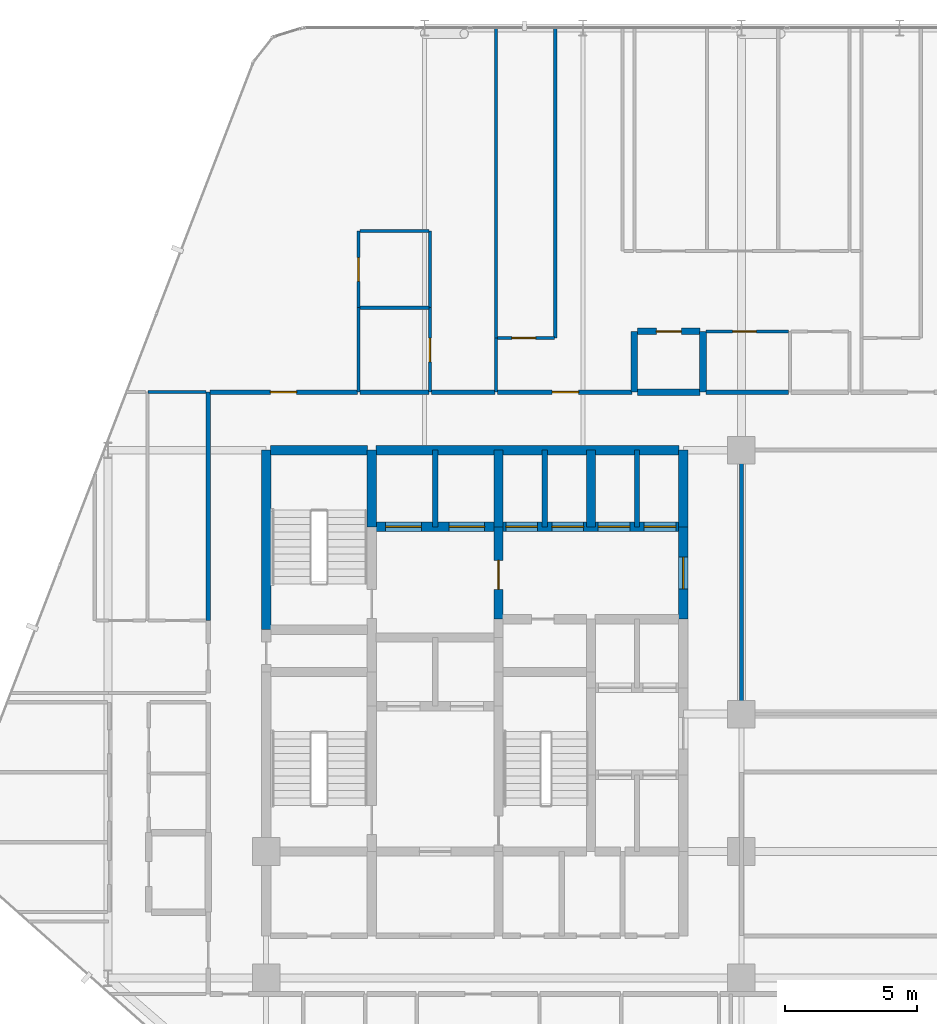
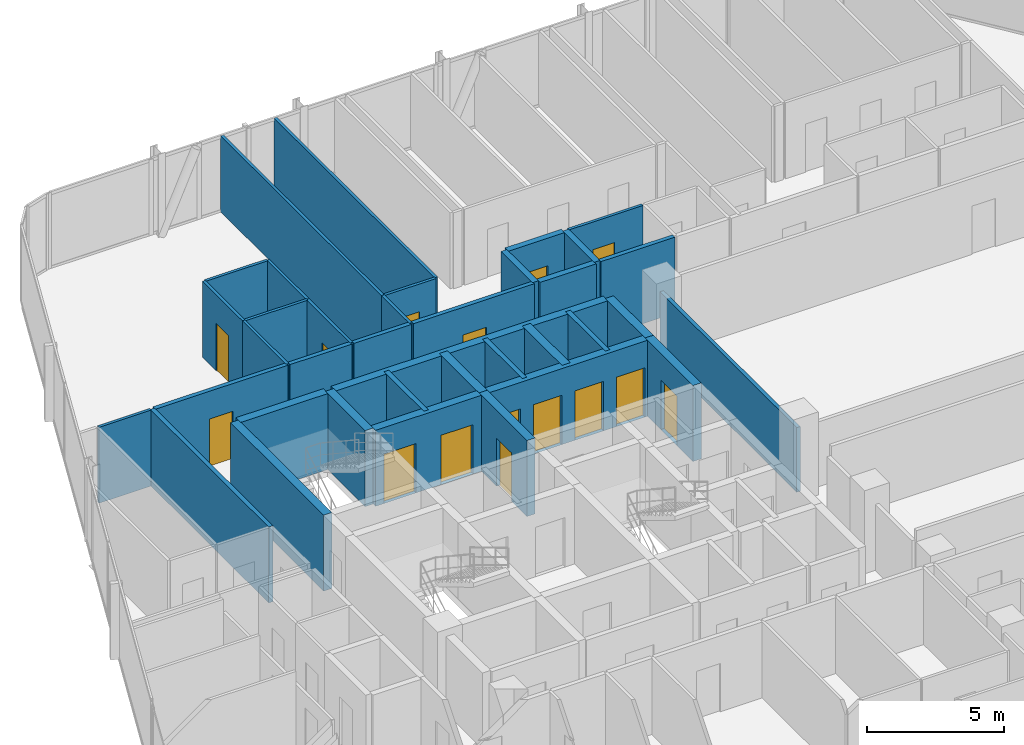
# One storey, part 26 of 29: 36 walls, 15 doors, 15 openings.
"""IFC4 building model written with IfcOpenShell, lengths in metres."""

import ifcopenshell
import ifcopenshell.guid

model = None  # the IFC model being written
_history = None  # IfcOwnerHistory: only IFC2X3 demands one
_inside = {}  # id of a spatial element -> (the spatial element, [elements in it])
_under = {}  # id of a project, library or spatial element -> (it, [spatial elements below it])
_declared = {}  # id of a project -> (the project, [libraries it declares])
_typed = {}  # id of a type object -> (the type object, [elements of that type])
_made_of = {}  # id of a material, layer set ... -> (it, [elements and type objects made of it])


def new_model(schema):
    """Start an empty IFC model of exactly this schema.

    Asked for "IFC4X3", IfcOpenShell would pick the latest addendum, in which some entities
    have other attributes; the version numbers below select the first issue.
    IFC2X3 requires an IfcOwnerHistory on every rooted entity: one is made here for all.
    """
    global model, _history
    if schema == "IFC4X3":
        model = ifcopenshell.file(schema_version=(4, 3, 0, 0))
    else:
        model = ifcopenshell.file(schema=schema)
    _inside.clear()
    _under.clear()
    _declared.clear()
    _typed.clear()
    _made_of.clear()
    _history = None
    if model.schema == "IFC2X3":
        org = make("IfcOrganization", Name="unknown")
        user = make(
            "IfcPersonAndOrganization",
            ThePerson=make("IfcPerson", FamilyName="unknown"),
            TheOrganization=org,
        )
        app = make(
            "IfcApplication",
            ApplicationDeveloper=org,
            Version="unknown",
            ApplicationFullName="unknown",
            ApplicationIdentifier="unknown",
        )
        _history = make(
            "IfcOwnerHistory",
            OwningUser=user,
            OwningApplication=app,
            ChangeAction="ADDED",
            CreationDate=0,
        )
    return model


def make(cls, **values):
    """One entity of the class cls with the attributes given. An attribute that is None is left unset."""
    return model.create_entity(
        cls, **{name: value for name, value in values.items() if value is not None}
    )


def rooted(cls, **values):
    """An entity with a GlobalId (a new one), such as an element, a storey or a relation."""
    return make(cls, GlobalId=ifcopenshell.guid.new(), OwnerHistory=_history, **values)


def si_unit(unit_type, name, prefix=None):
    """IfcSIUnit, for example si_unit("LENGTHUNIT", "METRE", prefix="MILLI")."""
    return make("IfcSIUnit", UnitType=unit_type, Prefix=prefix, Name=name)


def assignment(units):
    """IfcUnitAssignment: the units of a project."""
    return None if units is None else make("IfcUnitAssignment", Units=units)


def point(xyz):
    """IfcCartesianPoint."""
    return None if xyz is None else make("IfcCartesianPoint", Coordinates=xyz)


def direction(xyz):
    """IfcDirection."""
    return None if xyz is None else make("IfcDirection", DirectionRatios=xyz)


def frame(location, z_axis=None, x_axis=None):
    """IfcAxis2Placement3D, a coordinate frame: its origin and axes. An axis left out is left unset."""
    return make(
        "IfcAxis2Placement3D",
        Location=point(location),
        Axis=direction(z_axis),
        RefDirection=direction(x_axis),
    )


def frame_2d(location, x_axis=None):
    """IfcAxis2Placement2D, a coordinate frame in the plane: its origin and x axis."""
    return make(
        "IfcAxis2Placement2D", Location=point(location), RefDirection=direction(x_axis)
    )


def origin():
    """The frame at (0, 0, 0) with its axes left unset."""
    return frame((0.0, 0.0, 0.0))


def place(relative_to, where):
    """IfcLocalPlacement: puts the frame where relative to a parent placement (None: the world)."""
    return make(
        "IfcLocalPlacement", PlacementRelTo=relative_to, RelativePlacement=where
    )


def context(
    kind, dimensions, precision=None, world=None, true_north=None, identifier=None
):
    """IfcGeometricRepresentationContext, for example the 3D "Model" context."""
    return make(
        "IfcGeometricRepresentationContext",
        ContextIdentifier=identifier,
        ContextType=kind,
        CoordinateSpaceDimension=dimensions,
        Precision=precision,
        WorldCoordinateSystem=world,
        TrueNorth=true_north,
    )


def subcontext(parent, identifier, kind, view, scale=None):
    """IfcGeometricRepresentationSubContext, for example "Body" below "Model"."""
    return make(
        "IfcGeometricRepresentationSubContext",
        ContextIdentifier=identifier,
        ContextType=kind,
        ParentContext=parent,
        TargetScale=scale,
        TargetView=view,
    )


def project(units=None, contexts=None):
    """IfcProject with its units and contexts."""
    return rooted(
        "IfcProject",
        Name="project",
        RepresentationContexts=contexts,
        UnitsInContext=assignment(units),
    )


def spatial(cls, under=None, at=None, **own):
    """A site, building, storey or space (cls), placed at a placement, below another one or the project."""
    s = rooted(cls, ObjectPlacement=at, **own)
    if under is not None:
        _under.setdefault(under.id(), (under, []))[1].append(s)
    return s


def profile(cls, at=None, kind="AREA", **sizes):
    """A parametric profile (cls). Its sizes go by their IFC names, for example OverallWidth=200.0."""
    return make(cls, ProfileType=kind, Position=at, **sizes)


def rectangle(**sizes):
    """IfcRectangleProfileDef."""
    return profile("IfcRectangleProfileDef", **sizes)


def extrude(swept, where, along, depth):
    """IfcExtrudedAreaSolid: the profile swept, set in the frame where, extruded along a direction by depth."""
    return make(
        "IfcExtrudedAreaSolid",
        SweptArea=swept,
        Position=where,
        ExtrudedDirection=direction(along),
        Depth=depth,
    )


def shape(context_of_items, identifier, shape_type, items):
    """IfcShapeRepresentation: the items that make up one representation, for example the "Body"."""
    return make(
        "IfcShapeRepresentation",
        ContextOfItems=context_of_items,
        RepresentationIdentifier=identifier,
        RepresentationType=shape_type,
        Items=items,
    )


def material(Name=None, Category=None):
    """IfcMaterial."""
    return make("IfcMaterial", Name=Name, Category=Category)


def layer(
    of_material, thickness, ventilated=None, Name=None, Category=None, Priority=None
):
    """IfcMaterialLayer: one layer of a wall or slab, of a material (None: an air gap)."""
    return make(
        "IfcMaterialLayer",
        Material=of_material,
        LayerThickness=thickness,
        IsVentilated=ventilated,
        Name=Name,
        Category=Category,
        Priority=Priority,
    )


def layer_set(layers, Name=None):
    """IfcMaterialLayerSet."""
    return make("IfcMaterialLayerSet", MaterialLayers=layers, LayerSetName=Name)


def made_of(thing, what):
    """Note that an element or type object is made of a material, layer set ...; save() writes the relation."""
    if what is not None:
        _made_of.setdefault(what.id(), (what, []))[1].append(thing)
    return thing


def type_object(cls, material=None, **own):
    """A type object (cls), such as IfcWallType, which elements share."""
    return made_of(rooted(cls, **own), material)


def element(
    cls,
    number,
    at=None,
    inside=None,
    cuts=None,
    type_object=None,
    material=None,
    context=None,
    identifier="Body",
    shape_type=None,
    held_by="IfcProductDefinitionShape",
    body=None,
    shapes=None,
    **own,
):
    """One element of the class cls, such as IfcWall. Its Tag is "e" and its number.

    at: its placement. inside: the storey or other place that contains it. cuts: it is an
    opening in that element (IfcRelVoidsElement). A single representation is given by context,
    identifier, shape_type and body (its items); several are given by shapes. held_by: the class
    of the entity that holds the representations. save() writes the other relations.
    """
    e = rooted(cls, Tag="e%d" % number, ObjectPlacement=at, **own)
    if body is not None:
        shapes = [shape(context, identifier, shape_type, body)]
    if shapes is not None:
        e.Representation = make(held_by, Representations=shapes)
    if inside is not None:
        _inside.setdefault(inside.id(), (inside, []))[1].append(e)
    if cuts is not None:
        rooted(
            "IfcRelVoidsElement", RelatingBuildingElement=cuts, RelatedOpeningElement=e
        )
    if type_object is not None:
        _typed.setdefault(type_object.id(), (type_object, []))[1].append(e)
    return made_of(e, material)


def fill(opening, filler):
    """IfcRelFillsElement: the door or window that sits in an opening."""
    return rooted(
        "IfcRelFillsElement",
        RelatingOpeningElement=opening,
        RelatedBuildingElement=filler,
    )


def aggregate(whole, parts):
    """IfcRelAggregates: a whole, such as a stair, and the parts it consists of."""
    return rooted("IfcRelAggregates", RelatingObject=whole, RelatedObjects=parts)


def save(model, path):
    """Write the relations noted so far, then the file.

    IfcRelAggregates (storeys below a building ...), IfcRelContainedInSpatialStructure (elements
    in a storey), IfcRelDefinesByType, IfcRelAssociatesMaterial and IfcRelDeclares: one each for
    every whole, place, type object, material and project.
    """
    for whole, parts in _under.values():
        aggregate(whole, parts)
    for where, things in _inside.values():
        rooted(
            "IfcRelContainedInSpatialStructure",
            RelatedElements=things,
            RelatingStructure=where,
        )
    for kind, things in _typed.values():
        rooted("IfcRelDefinesByType", RelatedObjects=things, RelatingType=kind)
    for what, things in _made_of.values():
        rooted("IfcRelAssociatesMaterial", RelatedObjects=things, RelatingMaterial=what)
    for by, libraries in _declared.values():
        rooted("IfcRelDeclares", RelatingContext=by, RelatedDefinitions=libraries)
    model.write(path)


model = new_model("IFC4")

# Units and contexts
model_context = context("Model", 3, precision=1e-05, world=origin(), true_north=direction((0.0, 1.0)))
body_context = subcontext(model_context, "Body", "Model", "MODEL_VIEW")
ifc_project = project(units=[si_unit("LENGTHUNIT", "METRE"), si_unit("AREAUNIT", "SQUARE_METRE"), si_unit("VOLUMEUNIT", "CUBIC_METRE"), si_unit("PLANEANGLEUNIT", "RADIAN"), si_unit("MASSUNIT", "GRAM", prefix="KILO")], contexts=[model_context])

# Site, building, storey
site_placement = place(None, origin())
site = spatial("IfcSite", under=ifc_project, at=site_placement, CompositionType="ELEMENT")
building_placement = place(site_placement, origin())
building = spatial("IfcBuilding", under=site, at=building_placement, Name="Keshet Zoharim Tower", CompositionType="ELEMENT")
storey_placement = place(building_placement, frame((0.0, 0.0, 94.60009765625)))
storey = spatial("IfcBuildingStorey", under=building, at=storey_placement, Name="L22", CompositionType="ELEMENT", Elevation=94.60009765625)

# Walls
ifc_material_1 = material(Name="Gypsum Plasterboard", Category="gypsum")
ifc_layer_1 = layer(ifc_material_1, 0.14990234375)
ifc_layer_set_1 = layer_set([ifc_layer_1], Name="Gypsum Plasterboard")
wall_type_1 = type_object("IfcWallType", Name="WL-CLIN-150", PredefinedType="STANDARD", material=ifc_layer_set_1)
wall_1_placement = place(storey_placement, frame((33.0, 27.909912109375, 0.0), z_axis=(0.0, 0.0, 1.0), x_axis=(0.0, 1.0, 0.0)))
element("IfcWall", 1, at=wall_1_placement, inside=storey, type_object=wall_type_1, Name="L22 Interior Wall 076", PredefinedType="STANDARD", context=body_context, shape_type="SweptSolid", body=[
    extrude(rectangle(XDim=9.97998046875, YDim=0.14990234375, at=frame_2d((4.989990234375, 0.0))), origin(), (0.0, 0.0, 1.0), 2.885009765625),
])
ifc_material_2 = material(Name="Concrete C60/75", Category="concrete")
ifc_layer_2 = layer(ifc_material_2, 0.35009765625)
ifc_layer_set_2 = layer_set([ifc_layer_2], Name="Concrete C60/75")
wall_type_2 = type_object("IfcWallType", Name="WL-CORE-350", PredefinedType="SHEAR", material=ifc_layer_set_2)
wall_2_placement = place(storey_placement, frame((15.0, 31.10009765625, 0.0), z_axis=(0.0, 0.0, 1.0), x_axis=(0.0, 1.0, 0.0)))
element("IfcWall", 2, at=wall_2_placement, inside=storey, type_object=wall_type_2, Name="L22 Core Shear Wall 016", PredefinedType="SHEAR", context=body_context, shape_type="SweptSolid", body=[
    extrude(rectangle(XDim=6.7998046875, YDim=0.35009765625, at=frame_2d((3.39990234375, 0.0))), origin(), (0.0, 0.0, 1.0), 3.385009765625),
])
wall_3_placement = place(storey_placement, frame((19.0, 35.0, 0.0), z_axis=(0.0, 0.0, 1.0), x_axis=(0.0, 1.0, 0.0)))
element("IfcWall", 3, at=wall_3_placement, inside=storey, type_object=wall_type_2, Name="L22 Core Shear Wall 027", PredefinedType="SHEAR", context=body_context, shape_type="SweptSolid", body=[
    extrude(rectangle(XDim=2.89990234375, YDim=0.35009765625, at=frame_2d((1.449951171875, 0.0))), origin(), (0.0, 0.0, 1.0), 3.385009765625),
])

# Wall, opening, door
wall_4_placement = place(storey_placement, frame((23.800048828125, 31.5, 0.0), z_axis=(0.0, 0.0, 1.0), x_axis=(0.0, 1.0, 0.0)))
wall_4 = element("IfcWall", 4, at=wall_4_placement, inside=storey, type_object=wall_type_2, Name="L22 Core Shear Wall 040", PredefinedType="SHEAR", context=body_context, shape_type="SweptSolid", body=[
    extrude(rectangle(XDim=3.5, YDim=0.35009765625, at=frame_2d((1.75, 0.0))), origin(), (0.0, 0.0, 1.0), 3.385009765625),
])
opening_1_placement = place(wall_4_placement, frame((1.126953125, 0.0, 0.0)))
opening_1 = element("IfcOpeningElement", 5, at=opening_1_placement, cuts=wall_4, Name="Opening D-F611", PredefinedType="OPENING", context=body_context, shape_type="SweptSolid", body=[
    extrude(rectangle(XDim=1.10009765625, YDim=2.14990234375, at=frame_2d((0.550048828125, 1.074951171875))), frame((0.0, 0.18505859375, 0.0), z_axis=(0.0, -1.0, 0.0), x_axis=(1.0, 0.0, 0.0)), (0.0, 0.0, 1.0), 0.3701171875),
])
ifc_material_3 = material(Name="Hardwood Timber", Category="wood")
door_type_1 = type_object("IfcDoorType", Name="DR-FD60-110", OperationType="NOTDEFINED", PredefinedType="DOOR", material=ifc_material_3)
door_1_placement = place(opening_1_placement, origin())
door_1 = element("IfcDoor", 6, at=door_1_placement, inside=storey, type_object=door_type_1, Name="L22 Firefighting Lobby Fire Door", OperationType="SINGLE_SWING_RIGHT", OverallHeight=2.14990234375, OverallWidth=1.10009765625, PredefinedType="DOOR", context=body_context, shape_type="SweptSolid", body=[
    extrude(rectangle(XDim=1.10009765625, YDim=2.14990234375, at=frame_2d((0.550048828125, 1.074951171875))), frame((0.0, 0.02490234375, 0.0), z_axis=(0.0, -1.0, 0.0), x_axis=(1.0, 0.0, 0.0)), (0.0, 0.0, 1.0), 0.050048828125),
])
fill(opening_1, door_1)

# Walls
for number, where, z_axis, x_axis, name in (
    (7, (23.800048828125, 35.0, 0.0), (0.0, 0.0, 1.0), (0.0, 1.0, 0.0), "L22 Core Shear Wall 041"),
    (8, (27.300048828125, 35.0, 0.0), (0.0, 0.0, 1.0), (0.0, 1.0, 0.0), "L22 Core Shear Wall 052"),
):
    element("IfcWall", number, at=place(storey_placement, frame(where, z_axis=z_axis, x_axis=x_axis)), inside=storey, type_object=wall_type_2, Name=name, PredefinedType="SHEAR", context=body_context, shape_type="SweptSolid", body=[
        extrude(rectangle(XDim=2.89990234375, YDim=0.35009765625, at=frame_2d((1.449951171875, 0.0))), origin(), (0.0, 0.0, 1.0), 3.385009765625),
    ])

# Wall, opening, door
wall_5_placement = place(storey_placement, frame((30.800048828125, 31.5, 0.0), z_axis=(0.0, 0.0, 1.0), x_axis=(0.0, 1.0, 0.0)))
wall_5 = element("IfcWall", 9, at=wall_5_placement, inside=storey, type_object=wall_type_2, Name="L22 Core Shear Wall 066", PredefinedType="SHEAR", context=body_context, shape_type="SweptSolid", body=[
    extrude(rectangle(XDim=3.5, YDim=0.35009765625, at=frame_2d((1.75, 0.0))), origin(), (0.0, 0.0, 1.0), 3.385009765625),
])
opening_2_placement = place(wall_5_placement, frame((1.14990234375, 0.0, 0.0)))
opening_2 = element("IfcOpeningElement", 10, at=opening_2_placement, cuts=wall_5, Name="Opening D-F612", PredefinedType="OPENING", context=body_context, shape_type="SweptSolid", body=[
    extrude(rectangle(XDim=1.199951171875, YDim=2.199951171875, at=frame_2d((0.60009765625, 1.10009765625))), frame((0.0, 0.18505859375, 0.0), z_axis=(0.0, -1.0, 0.0), x_axis=(1.0, 0.0, 0.0)), (0.0, 0.0, 1.0), 0.3701171875),
])
door_type_2 = type_object("IfcDoorType", Name="DR-FD60-120", OperationType="NOTDEFINED", PredefinedType="DOOR", material=ifc_material_3)
door_2_placement = place(opening_2_placement, origin())
door_2 = element("IfcDoor", 11, at=door_2_placement, inside=storey, type_object=door_type_2, Name="L22 North Lift Lobby East Fire Door", OperationType="SINGLE_SWING_RIGHT", OverallHeight=2.199951171875, OverallWidth=1.199951171875, PredefinedType="DOOR", context=body_context, shape_type="SweptSolid", body=[
    extrude(rectangle(XDim=1.199951171875, YDim=2.199951171875, at=frame_2d((0.60009765625, 1.10009765625))), frame((0.0, 0.02490234375, 0.0), z_axis=(0.0, -1.0, 0.0), x_axis=(1.0, 0.0, 0.0)), (0.0, 0.0, 1.0), 0.050048828125),
])
fill(opening_2, door_2)

# Wall
wall_6_placement = place(storey_placement, frame((30.800048828125, 35.0, 0.0), z_axis=(0.0, 0.0, 1.0), x_axis=(0.0, 1.0, 0.0)))
element("IfcWall", 12, at=wall_6_placement, inside=storey, type_object=wall_type_2, Name="L22 Core Shear Wall 067", PredefinedType="SHEAR", context=body_context, shape_type="SweptSolid", body=[
    extrude(rectangle(XDim=2.89990234375, YDim=0.35009765625, at=frame_2d((1.449951171875, 0.0))), origin(), (0.0, 0.0, 1.0), 3.385009765625),
])

# Wall, openings, doors
wall_7_placement = place(storey_placement, frame((19.159912109375, 35.0, 0.0), z_axis=(0.0, 0.0, 1.0), x_axis=(1.0, 0.0, 0.0)))
wall_7 = element("IfcWall", 13, at=wall_7_placement, inside=storey, type_object=wall_type_2, Name="L22 Core Shear Wall 183", PredefinedType="SHEAR", context=body_context, shape_type="SweptSolid", body=[
    extrude(rectangle(XDim=11.47998046875, YDim=0.35009765625, at=frame_2d((5.739990234375, 0.0))), origin(), (0.0, 0.0, 1.0), 3.385009765625),
])
opening_3_placement = place(wall_7_placement, frame((0.364990234375, 0.0, 0.0)))
opening_3 = element("IfcOpeningElement", 14, at=opening_3_placement, cuts=wall_7, Name="Opening LD-02", PredefinedType="OPENING", context=body_context, shape_type="SweptSolid", body=[
    extrude(rectangle(XDim=1.35009765625, YDim=2.199951171875, at=frame_2d((0.675048828125, 1.10009765625))), frame((0.0, 0.18505859375, 0.0), z_axis=(0.0, -1.0, 0.0), x_axis=(1.0, 0.0, 0.0)), (0.0, 0.0, 1.0), 0.3701171875),
])
opening_4_placement = place(wall_7_placement, frame((2.764892578125, 0.0, 0.0)))
opening_4 = element("IfcOpeningElement", 15, at=opening_4_placement, cuts=wall_7, Name="Opening LD-02", PredefinedType="OPENING", context=body_context, shape_type="SweptSolid", body=[
    extrude(rectangle(XDim=1.35009765625, YDim=2.199951171875, at=frame_2d((0.675048828125, 1.10009765625))), frame((0.0, 0.18505859375, 0.0), z_axis=(0.0, -1.0, 0.0), x_axis=(1.0, 0.0, 0.0)), (0.0, 0.0, 1.0), 0.3701171875),
])
opening_5_placement = place(wall_7_placement, frame((4.9150390625, 0.0, 0.0)))
opening_5 = element("IfcOpeningElement", 16, at=opening_5_placement, cuts=wall_7, Name="Opening LD-03", PredefinedType="OPENING", context=body_context, shape_type="SweptSolid", body=[
    extrude(rectangle(XDim=1.199951171875, YDim=2.199951171875, at=frame_2d((0.60009765625, 1.10009765625))), frame((0.0, 0.18505859375, 0.0), z_axis=(0.0, -1.0, 0.0), x_axis=(1.0, 0.0, 0.0)), (0.0, 0.0, 1.0), 0.3701171875),
])
opening_6_placement = place(wall_7_placement, frame((6.6650390625, 0.0, 0.0)))
opening_6 = element("IfcOpeningElement", 17, at=opening_6_placement, cuts=wall_7, Name="Opening LD-03", PredefinedType="OPENING", context=body_context, shape_type="SweptSolid", body=[
    extrude(rectangle(XDim=1.199951171875, YDim=2.199951171875, at=frame_2d((0.60009765625, 1.10009765625))), frame((0.0, 0.18505859375, 0.0), z_axis=(0.0, -1.0, 0.0), x_axis=(1.0, 0.0, 0.0)), (0.0, 0.0, 1.0), 0.3701171875),
])
opening_7_placement = place(wall_7_placement, frame((8.4150390625, 0.0, 0.0)))
opening_7 = element("IfcOpeningElement", 18, at=opening_7_placement, cuts=wall_7, Name="Opening LD-03", PredefinedType="OPENING", context=body_context, shape_type="SweptSolid", body=[
    extrude(rectangle(XDim=1.199951171875, YDim=2.199951171875, at=frame_2d((0.60009765625, 1.10009765625))), frame((0.0, 0.18505859375, 0.0), z_axis=(0.0, -1.0, 0.0), x_axis=(1.0, 0.0, 0.0)), (0.0, 0.0, 1.0), 0.3701171875),
])
opening_8_placement = place(wall_7_placement, frame((10.159912109375, 0.0, 0.0)))
opening_8 = element("IfcOpeningElement", 19, at=opening_8_placement, cuts=wall_7, Name="Opening LD-03", PredefinedType="OPENING", context=body_context, shape_type="SweptSolid", body=[
    extrude(rectangle(XDim=1.199951171875, YDim=2.199951171875, at=frame_2d((0.60009765625, 1.10009765625))), frame((0.0, 0.18505859375, 0.0), z_axis=(0.0, -1.0, 0.0), x_axis=(1.0, 0.0, 0.0)), (0.0, 0.0, 1.0), 0.3701171875),
])
ifc_material_4 = material(Name="Steel S355", Category="steel")
door_type_3 = type_object("IfcDoorType", Name="DR-LD02-135", OperationType="DOUBLE_DOOR_SLIDING", PredefinedType="DOOR", material=ifc_material_4)
door_3_placement = place(opening_3_placement, origin())
door_3 = element("IfcDoor", 20, at=door_3_placement, inside=storey, type_object=door_type_3, Name="L22 Firefighting Lift Landing Door FF-01", OperationType="DOUBLE_DOOR_SLIDING", OverallHeight=2.199951171875, OverallWidth=1.35009765625, PredefinedType="DOOR", context=body_context, shape_type="SweptSolid", body=[
    extrude(rectangle(XDim=1.35009765625, YDim=2.199951171875, at=frame_2d((0.675048828125, 1.10009765625))), frame((0.0, 0.02490234375, 0.0), z_axis=(0.0, -1.0, 0.0), x_axis=(1.0, 0.0, 0.0)), (0.0, 0.0, 1.0), 0.050048828125),
])
fill(opening_3, door_3)
door_4_placement = place(opening_4_placement, origin())
door_4 = element("IfcDoor", 21, at=door_4_placement, inside=storey, type_object=door_type_3, Name="L22 Firefighting Lift Landing Door FF-02", OperationType="DOUBLE_DOOR_SLIDING", OverallHeight=2.199951171875, OverallWidth=1.35009765625, PredefinedType="DOOR", context=body_context, shape_type="SweptSolid", body=[
    extrude(rectangle(XDim=1.35009765625, YDim=2.199951171875, at=frame_2d((0.675048828125, 1.10009765625))), frame((0.0, 0.02490234375, 0.0), z_axis=(0.0, -1.0, 0.0), x_axis=(1.0, 0.0, 0.0)), (0.0, 0.0, 1.0), 0.050048828125),
])
fill(opening_4, door_4)
door_type_4 = type_object("IfcDoorType", Name="DR-LD03-120", OperationType="DOUBLE_DOOR_SLIDING", PredefinedType="DOOR", material=ifc_material_4)
door_5_placement = place(opening_5_placement, origin())
door_5 = element("IfcDoor", 22, at=door_5_placement, inside=storey, type_object=door_type_4, Name="L22 Passenger Lift Landing Door LF-01", OperationType="DOUBLE_DOOR_SLIDING", OverallHeight=2.199951171875, OverallWidth=1.199951171875, PredefinedType="DOOR", context=body_context, shape_type="SweptSolid", body=[
    extrude(rectangle(XDim=1.199951171875, YDim=2.199951171875, at=frame_2d((0.60009765625, 1.10009765625))), frame((0.0, 0.02490234375, 0.0), z_axis=(0.0, -1.0, 0.0), x_axis=(1.0, 0.0, 0.0)), (0.0, 0.0, 1.0), 0.050048828125),
])
fill(opening_5, door_5)
door_6_placement = place(opening_6_placement, origin())
door_6 = element("IfcDoor", 23, at=door_6_placement, inside=storey, type_object=door_type_4, Name="L22 Passenger Lift Landing Door LF-02", OperationType="DOUBLE_DOOR_SLIDING", OverallHeight=2.199951171875, OverallWidth=1.199951171875, PredefinedType="DOOR", context=body_context, shape_type="SweptSolid", body=[
    extrude(rectangle(XDim=1.199951171875, YDim=2.199951171875, at=frame_2d((0.60009765625, 1.10009765625))), frame((0.0, 0.02490234375, 0.0), z_axis=(0.0, -1.0, 0.0), x_axis=(1.0, 0.0, 0.0)), (0.0, 0.0, 1.0), 0.050048828125),
])
fill(opening_6, door_6)
door_7_placement = place(opening_7_placement, origin())
door_7 = element("IfcDoor", 24, at=door_7_placement, inside=storey, type_object=door_type_4, Name="L22 Passenger Lift Landing Door LF-03", OperationType="DOUBLE_DOOR_SLIDING", OverallHeight=2.199951171875, OverallWidth=1.199951171875, PredefinedType="DOOR", context=body_context, shape_type="SweptSolid", body=[
    extrude(rectangle(XDim=1.199951171875, YDim=2.199951171875, at=frame_2d((0.60009765625, 1.10009765625))), frame((0.0, 0.02490234375, 0.0), z_axis=(0.0, -1.0, 0.0), x_axis=(1.0, 0.0, 0.0)), (0.0, 0.0, 1.0), 0.050048828125),
])
fill(opening_7, door_7)
door_8_placement = place(opening_8_placement, origin())
door_8 = element("IfcDoor", 25, at=door_8_placement, inside=storey, type_object=door_type_4, Name="L22 Passenger Lift Landing Door LF-04", OperationType="DOUBLE_DOOR_SLIDING", OverallHeight=2.199951171875, OverallWidth=1.199951171875, PredefinedType="DOOR", context=body_context, shape_type="SweptSolid", body=[
    extrude(rectangle(XDim=1.199951171875, YDim=2.199951171875, at=frame_2d((0.60009765625, 1.10009765625))), frame((0.0, 0.02490234375, 0.0), z_axis=(0.0, -1.0, 0.0), x_axis=(1.0, 0.0, 0.0)), (0.0, 0.0, 1.0), 0.050048828125),
])
fill(opening_8, door_8)

# Walls
wall_8_placement = place(storey_placement, frame((15.159912109375, 37.89990234375, 0.0), z_axis=(0.0, 0.0, 1.0), x_axis=(1.0, 0.0, 0.0)))
element("IfcWall", 26, at=wall_8_placement, inside=storey, type_object=wall_type_2, Name="L22 Core Shear Wall 184", PredefinedType="SHEAR", context=body_context, shape_type="SweptSolid", body=[
    extrude(rectangle(XDim=3.68017578125, YDim=0.35009765625, at=frame_2d((1.840087890625, 0.0))), origin(), (0.0, 0.0, 1.0), 3.385009765625),
])
wall_9_placement = place(storey_placement, frame((19.159912109375, 37.89990234375, 0.0), z_axis=(0.0, 0.0, 1.0), x_axis=(1.0, 0.0, 0.0)))
element("IfcWall", 27, at=wall_9_placement, inside=storey, type_object=wall_type_2, Name="L22 Core Shear Wall 185", PredefinedType="SHEAR", context=body_context, shape_type="SweptSolid", body=[
    extrude(rectangle(XDim=11.47998046875, YDim=0.35009765625, at=frame_2d((5.739990234375, 0.0))), origin(), (0.0, 0.0, 1.0), 3.385009765625),
])
ifc_layer_3 = layer(ifc_material_1, 0.179931640625)
ifc_layer_set_3 = layer_set([ifc_layer_3], Name="Gypsum Plasterboard")
wall_type_3 = type_object("IfcWallType", Name="WL-CORR-180", PredefinedType="STANDARD", material=ifc_layer_set_3)
wall_10_placement = place(storey_placement, frame((12.800048828125, 31.449951171875, 0.0), z_axis=(0.0, 0.0, 1.0), x_axis=(0.0, 1.0, 0.0)))
element("IfcWall", 28, at=wall_10_placement, inside=storey, type_object=wall_type_3, Name="L22 Interior Wall 012", PredefinedType="STANDARD", context=body_context, shape_type="SweptSolid", body=[
    extrude(rectangle(XDim=8.650146484375, YDim=0.179931640625, at=frame_2d((4.3251953125, 0.0))), origin(), (0.0, 0.0, 1.0), 3.385009765625),
])

# Wall, opening, door
wall_11_placement = place(storey_placement, frame((12.875, 40.10009765625, 0.0), z_axis=(0.0, 0.0, 1.0), x_axis=(1.0, 0.0, 0.0)))
wall_11 = element("IfcWall", 29, at=wall_11_placement, inside=storey, type_object=wall_type_3, Name="L22 Interior Wall 189", PredefinedType="STANDARD", context=body_context, shape_type="SweptSolid", body=[
    extrude(rectangle(XDim=5.590087890625, YDim=0.179931640625, at=frame_2d((2.794921875, 0.0))), origin(), (0.0, 0.0, 1.0), 3.385009765625),
])
opening_9_placement = place(wall_11_placement, frame((2.280029296875, 0.0, 0.0)))
opening_9 = element("IfcOpeningElement", 30, at=opening_9_placement, cuts=wall_11, Name="Opening D-F310", PredefinedType="OPENING", context=body_context, shape_type="SweptSolid", body=[
    extrude(rectangle(XDim=1.0, YDim=2.14990234375, at=frame_2d((0.5, 1.074951171875))), frame((0.0, 0.10009765625, 0.0), z_axis=(0.0, -1.0, 0.0), x_axis=(1.0, 0.0, 0.0)), (0.0, 0.0, 1.0), 0.199951171875),
])
door_type_5 = type_object("IfcDoorType", Name="DR-FD30-100", OperationType="NOTDEFINED", PredefinedType="DOOR", material=ifc_material_3)
door_9_placement = place(opening_9_placement, origin())
door_9 = element("IfcDoor", 31, at=door_9_placement, inside=storey, type_object=door_type_5, Name="Apartment 2205 Entrance Door", OperationType="SINGLE_SWING_RIGHT", OverallHeight=2.14990234375, OverallWidth=1.0, PredefinedType="DOOR", context=body_context, shape_type="SweptSolid", body=[
    extrude(rectangle(XDim=1.0, YDim=2.14990234375, at=frame_2d((0.5, 1.074951171875))), frame((0.0, 0.02490234375, 0.0), z_axis=(0.0, -1.0, 0.0), x_axis=(1.0, 0.0, 0.0)), (0.0, 0.0, 1.0), 0.050048828125),
])
fill(opening_9, door_9)

# Walls
wall_12_placement = place(storey_placement, frame((18.554931640625, 40.10009765625, 0.0), z_axis=(0.0, 0.0, 1.0), x_axis=(1.0, 0.0, 0.0)))
element("IfcWall", 32, at=wall_12_placement, inside=storey, type_object=wall_type_3, Name="L22 Interior Wall 190", PredefinedType="STANDARD", context=body_context, shape_type="SweptSolid", body=[
    extrude(rectangle(XDim=2.610107421875, YDim=0.179931640625, at=frame_2d((1.30517578125, 0.0))), origin(), (0.0, 0.0, 1.0), 3.385009765625),
])
wall_13_placement = place(storey_placement, frame((21.2548828125, 40.10009765625, 0.0), z_axis=(0.0, 0.0, 1.0), x_axis=(1.0, 0.0, 0.0)))
element("IfcWall", 33, at=wall_13_placement, inside=storey, type_object=wall_type_3, Name="L22 Interior Wall 191", PredefinedType="STANDARD", context=body_context, shape_type="SweptSolid", body=[
    extrude(rectangle(XDim=2.41015625, YDim=0.179931640625, at=frame_2d((1.205078125, 0.0))), origin(), (0.0, 0.0, 1.0), 3.385009765625),
])

# Wall, opening, door
wall_14_placement = place(storey_placement, frame((23.7548828125, 40.10009765625, 0.0), z_axis=(0.0, 0.0, 1.0), x_axis=(1.0, 0.0, 0.0)))
wall_14 = element("IfcWall", 34, at=wall_14_placement, inside=storey, type_object=wall_type_3, Name="L22 Interior Wall 192", PredefinedType="STANDARD", context=body_context, shape_type="SweptSolid", body=[
    extrude(rectangle(XDim=5.09521484375, YDim=0.179931640625, at=frame_2d((2.547607421875, 0.0))), origin(), (0.0, 0.0, 1.0), 3.385009765625),
])
opening_10_placement = place(wall_14_placement, frame((2.080078125, 0.0, 0.0)))
opening_10 = element("IfcOpeningElement", 35, at=opening_10_placement, cuts=wall_14, Name="Opening D-F310", PredefinedType="OPENING", context=body_context, shape_type="SweptSolid", body=[
    extrude(rectangle(XDim=1.0, YDim=2.14990234375, at=frame_2d((0.5, 1.074951171875))), frame((0.0, 0.10009765625, 0.0), z_axis=(0.0, -1.0, 0.0), x_axis=(1.0, 0.0, 0.0)), (0.0, 0.0, 1.0), 0.199951171875),
])
door_10_placement = place(opening_10_placement, origin())
door_10 = element("IfcDoor", 36, at=door_10_placement, inside=storey, type_object=door_type_5, Name="Apartment 2206 Entrance Door", OperationType="SINGLE_SWING_LEFT", OverallHeight=2.14990234375, OverallWidth=1.0, PredefinedType="DOOR", context=body_context, shape_type="SweptSolid", body=[
    extrude(rectangle(XDim=1.0, YDim=2.14990234375, at=frame_2d((0.5, 1.074951171875))), frame((0.0, 0.02490234375, 0.0), z_axis=(0.0, -1.0, 0.0), x_axis=(1.0, 0.0, 0.0)), (0.0, 0.0, 1.0), 0.050048828125),
])
fill(opening_10, door_10)

# Walls
wall_15_placement = place(storey_placement, frame((31.662109375, 40.10009765625, 0.0), z_axis=(0.0, 0.0, 1.0), x_axis=(1.0, 0.0, 0.0)))
element("IfcWall", 37, at=wall_15_placement, inside=storey, type_object=wall_type_3, Name="L22 Interior Wall 194", PredefinedType="STANDARD", context=body_context, shape_type="SweptSolid", body=[
    extrude(rectangle(XDim=3.120849609375, YDim=0.179931640625, at=frame_2d((1.560546875, 0.0))), origin(), (0.0, 0.0, 1.0), 3.385009765625),
])
ifc_material_5 = material(Name="Concrete C50/60", Category="concrete")
ifc_layer_4 = layer(ifc_material_5, 0.199951171875)
ifc_layer_set_4 = layer_set([ifc_layer_4], Name="Concrete C50/60")
wall_type_4 = type_object("IfcWallType", Name="WL-FIRE-200", PredefinedType="STANDARD", material=ifc_layer_set_4)
for number, where, z_axis, x_axis, name in (
    (38, (21.39990234375, 35.0, 0.0), (0.0, 0.0, 1.0), (0.0, 1.0, 0.0), "L22 Interior Wall 032"),
    (39, (25.550048828125, 35.0, 0.0), (0.0, 0.0, 1.0), (0.0, 1.0, 0.0), "L22 Interior Wall 045"),
    (40, (29.050048828125, 35.0, 0.0), (0.0, 0.0, 1.0), (0.0, 1.0, 0.0), "L22 Interior Wall 061"),
):
    element("IfcWall", number, at=place(storey_placement, frame(where, z_axis=z_axis, x_axis=x_axis)), inside=storey, type_object=wall_type_4, Name=name, PredefinedType="STANDARD", context=body_context, shape_type="SweptSolid", body=[
        extrude(rectangle(XDim=2.89990234375, YDim=0.199951171875, at=frame_2d((1.449951171875, 0.0))), origin(), (0.0, 0.0, 1.0), 3.385009765625),
    ])
ifc_layer_5 = layer(ifc_material_5, 0.25)
ifc_layer_set_5 = layer_set([ifc_layer_5], Name="Concrete C50/60")
wall_type_5 = type_object("IfcWallType", Name="WL-MAMAD-250", PredefinedType="STANDARD", material=ifc_layer_set_5)
for number, where, z_axis, x_axis, name in (
    (41, (28.949951171875, 40.10009765625, 0.0), (0.0, 0.0, 1.0), (0.0, 1.0, 0.0), "L22 Interior Wall 057"),
    (42, (31.550048828125, 40.10009765625, 0.0), (0.0, 0.0, 1.0), (0.0, 1.0, 0.0), "L22 Interior Wall 068"),
):
    element("IfcWall", number, at=place(storey_placement, frame(where, z_axis=z_axis, x_axis=x_axis)), inside=storey, type_object=wall_type_5, Name=name, PredefinedType="STANDARD", context=body_context, shape_type="SweptSolid", body=[
        extrude(rectangle(XDim=2.2998046875, YDim=0.25, at=frame_2d((1.14990234375, 0.0))), origin(), (0.0, 0.0, 1.0), 3.385009765625),
    ])
wall_16_placement = place(storey_placement, frame((29.070068359375, 40.10009765625, 0.0), z_axis=(0.0, 0.0, 1.0), x_axis=(1.0, 0.0, 0.0)))
element("IfcWall", 43, at=wall_16_placement, inside=storey, type_object=wall_type_5, Name="L22 Interior Wall 193", PredefinedType="STANDARD", context=body_context, shape_type="SweptSolid", body=[
    extrude(rectangle(XDim=2.371826171875, YDim=0.25, at=frame_2d((1.18603515625, 0.0))), origin(), (0.0, 0.0, 1.0), 3.385009765625),
])

# Wall, opening, door
wall_17_placement = place(storey_placement, frame((29.070068359375, 42.39990234375, 0.0), z_axis=(0.0, 0.0, 1.0), x_axis=(1.0, 0.0, 0.0)))
wall_17 = element("IfcWall", 44, at=wall_17_placement, inside=storey, type_object=wall_type_5, Name="L22 Interior Wall 207", PredefinedType="STANDARD", context=body_context, shape_type="SweptSolid", body=[
    extrude(rectangle(XDim=2.371826171875, YDim=0.25, at=frame_2d((1.18603515625, 0.0))), origin(), (0.0, 0.0, 1.0), 3.385009765625),
])
opening_11_placement = place(wall_17_placement, frame((0.7109375, 0.0, 0.0)))
opening_11 = element("IfcOpeningElement", 45, at=opening_11_placement, cuts=wall_17, Name="Opening D-F695", PredefinedType="OPENING", context=body_context, shape_type="SweptSolid", body=[
    extrude(rectangle(XDim=0.949951171875, YDim=2.14990234375, at=frame_2d((0.47509765625, 1.074951171875))), frame((0.0, 0.135009765625, 0.0), z_axis=(0.0, -1.0, 0.0), x_axis=(1.0, 0.0, 0.0)), (0.0, 0.0, 1.0), 0.27001953125),
])
door_type_6 = type_object("IfcDoorType", Name="DR-FD60-095", OperationType="NOTDEFINED", PredefinedType="DOOR", material=ifc_material_3)
door_11_placement = place(opening_11_placement, origin())
door_11 = element("IfcDoor", 46, at=door_11_placement, inside=storey, type_object=door_type_6, Name="Apartment 2206 Study and Shelter Room Door", OperationType="SINGLE_SWING_RIGHT", OverallHeight=2.14990234375, OverallWidth=0.949951171875, PredefinedType="DOOR", context=body_context, shape_type="SweptSolid", body=[
    extrude(rectangle(XDim=0.949951171875, YDim=2.14990234375, at=frame_2d((0.47509765625, 1.074951171875))), frame((0.0, 0.02490234375, 0.0), z_axis=(0.0, -1.0, 0.0), x_axis=(1.0, 0.0, 0.0)), (0.0, 0.0, 1.0), 0.050048828125),
])
fill(opening_11, door_11)

# Wall
ifc_layer_6 = layer(ifc_material_1, 0.1201171875)
ifc_layer_set_6 = layer_set([ifc_layer_6], Name="Gypsum Plasterboard")
wall_type_6 = type_object("IfcWallType", Name="WL-PART-120", PredefinedType="PARTITIONING", material=ifc_layer_set_6)
wall_18_placement = place(storey_placement, frame((18.5, 40.10009765625, 0.0), z_axis=(0.0, 0.0, 1.0), x_axis=(0.0, 1.0, 0.0)))
element("IfcWall", 47, at=wall_18_placement, inside=storey, type_object=wall_type_6, Name="L22 Interior Wall 019", PredefinedType="PARTITIONING", context=body_context, shape_type="SweptSolid", body=[
    extrude(rectangle(XDim=3.199951171875, YDim=0.1201171875, at=frame_2d((1.60009765625, 0.0))), origin(), (0.0, 0.0, 1.0), 3.385009765625),
])

# Wall, opening, door
wall_19_placement = place(storey_placement, frame((21.199951171875, 40.10009765625, 0.0), z_axis=(0.0, 0.0, 1.0), x_axis=(0.0, 1.0, 0.0)))
wall_19 = element("IfcWall", 48, at=wall_19_placement, inside=storey, type_object=wall_type_6, Name="L22 Interior Wall 029", PredefinedType="PARTITIONING", context=body_context, shape_type="SweptSolid", body=[
    extrude(rectangle(XDim=3.199951171875, YDim=0.1201171875, at=frame_2d((1.60009765625, 0.0))), origin(), (0.0, 0.0, 1.0), 3.385009765625),
])
opening_12_placement = place(wall_19_placement, frame((1.14990234375, 0.0, 0.0)))
opening_12 = element("IfcOpeningElement", 49, at=opening_12_placement, cuts=wall_19, Name="Opening D-IN90", PredefinedType="OPENING", context=body_context, shape_type="SweptSolid", body=[
    extrude(rectangle(XDim=0.89990234375, YDim=2.14990234375, at=frame_2d((0.449951171875, 1.074951171875))), frame((0.0, 0.070068359375, 0.0), z_axis=(0.0, -1.0, 0.0), x_axis=(1.0, 0.0, 0.0)), (0.0, 0.0, 1.0), 0.14013671875),
])
door_type_7 = type_object("IfcDoorType", Name="DR-INT-090", OperationType="NOTDEFINED", PredefinedType="DOOR", material=ifc_material_3)
door_12_placement = place(opening_12_placement, origin())
door_12 = element("IfcDoor", 50, at=door_12_placement, inside=storey, type_object=door_type_7, Name="Apartment 2205 Kitchenette Door", OperationType="SINGLE_SWING_RIGHT", OverallHeight=2.14990234375, OverallWidth=0.89990234375, PredefinedType="DOOR", context=body_context, shape_type="SweptSolid", body=[
    extrude(rectangle(XDim=0.89990234375, YDim=2.14990234375, at=frame_2d((0.449951171875, 1.074951171875))), frame((0.0, 0.02490234375, 0.0), z_axis=(0.0, -1.0, 0.0), x_axis=(1.0, 0.0, 0.0)), (0.0, 0.0, 1.0), 0.050048828125),
])
fill(opening_12, door_12)

# Walls
wall_20_placement = place(storey_placement, frame((23.699951171875, 40.10009765625, 0.0), z_axis=(0.0, 0.0, 1.0), x_axis=(0.0, 1.0, 0.0)))
element("IfcWall", 51, at=wall_20_placement, inside=storey, type_object=wall_type_6, Name="L22 Interior Wall 033", PredefinedType="PARTITIONING", context=body_context, shape_type="SweptSolid", body=[
    extrude(rectangle(XDim=2.0498046875, YDim=0.1201171875, at=frame_2d((1.02490234375, 0.0))), origin(), (0.0, 0.0, 1.0), 3.385009765625),
])
for number, where, z_axis, x_axis, name in (
    (52, (23.699951171875, 42.14990234375, 0.0), (0.0, 0.0, 1.0), (0.0, 1.0, 0.0), "L22 Interior Wall 034"),
    (53, (25.949951171875, 42.14990234375, 0.0), (0.0, 0.0, 1.0), (0.0, 1.0, 0.0), "L22 Interior Wall 046"),
):
    element("IfcWall", number, at=place(storey_placement, frame(where, z_axis=z_axis, x_axis=x_axis)), inside=storey, type_object=wall_type_6, Name=name, PredefinedType="PARTITIONING", context=body_context, shape_type="SweptSolid", body=[
        extrude(rectangle(XDim=11.739990234375, YDim=0.1201171875, at=frame_2d((5.8701171875, 0.0))), origin(), (0.0, 0.0, 1.0), 3.385009765625),
    ])

# Wall, opening, door
wall_21_placement = place(storey_placement, frame((23.7548828125, 42.14990234375, 0.0), z_axis=(0.0, 0.0, 1.0), x_axis=(1.0, 0.0, 0.0)))
wall_21 = element("IfcWall", 54, at=wall_21_placement, inside=storey, type_object=wall_type_6, Name="L22 Interior Wall 205", PredefinedType="PARTITIONING", context=body_context, shape_type="SweptSolid", body=[
    extrude(rectangle(XDim=2.16015625, YDim=0.1201171875, at=frame_2d((1.080078125, 0.0))), origin(), (0.0, 0.0, 1.0), 3.385009765625),
])
opening_13_placement = place(wall_21_placement, frame((0.552978515625, 0.0, 0.0)))
opening_13 = element("IfcOpeningElement", 55, at=opening_13_placement, cuts=wall_21, Name="Opening D-IN90", PredefinedType="OPENING", context=body_context, shape_type="SweptSolid", body=[
    extrude(rectangle(XDim=0.89990234375, YDim=2.14990234375, at=frame_2d((0.449951171875, 1.074951171875))), frame((0.0, 0.070068359375, 0.0), z_axis=(0.0, -1.0, 0.0), x_axis=(1.0, 0.0, 0.0)), (0.0, 0.0, 1.0), 0.14013671875),
])
door_13_placement = place(opening_13_placement, origin())
door_13 = element("IfcDoor", 56, at=door_13_placement, inside=storey, type_object=door_type_7, Name="Apartment 2206 Formal Dining Room Door", OperationType="SINGLE_SWING_RIGHT", OverallHeight=2.14990234375, OverallWidth=0.89990234375, PredefinedType="DOOR", context=body_context, shape_type="SweptSolid", body=[
    extrude(rectangle(XDim=0.89990234375, YDim=2.14990234375, at=frame_2d((0.449951171875, 1.074951171875))), frame((0.0, 0.02490234375, 0.0), z_axis=(0.0, -1.0, 0.0), x_axis=(1.0, 0.0, 0.0)), (0.0, 0.0, 1.0), 0.050048828125),
])
fill(opening_13, door_13)

wall_22_placement = place(storey_placement, frame((31.662109375, 42.39990234375, 0.0), z_axis=(0.0, 0.0, 1.0), x_axis=(1.0, 0.0, 0.0)))
wall_22 = element("IfcWall", 57, at=wall_22_placement, inside=storey, type_object=wall_type_6, Name="L22 Interior Wall 208", PredefinedType="PARTITIONING", context=body_context, shape_type="SweptSolid", body=[
    extrude(rectangle(XDim=3.120849609375, YDim=0.1201171875, at=frame_2d((1.560546875, 0.0))), origin(), (0.0, 0.0, 1.0), 3.385009765625),
])
opening_14_placement = place(wall_22_placement, frame((1.006103515625, 0.0, 0.0)))
opening_14 = element("IfcOpeningElement", 58, at=opening_14_placement, cuts=wall_22, Name="Opening D-IN90", PredefinedType="OPENING", context=body_context, shape_type="SweptSolid", body=[
    extrude(rectangle(XDim=0.89990234375, YDim=2.14990234375, at=frame_2d((0.449951171875, 1.074951171875))), frame((0.0, 0.070068359375, 0.0), z_axis=(0.0, -1.0, 0.0), x_axis=(1.0, 0.0, 0.0)), (0.0, 0.0, 1.0), 0.14013671875),
])
door_14_placement = place(opening_14_placement, origin())
door_14 = element("IfcDoor", 59, at=door_14_placement, inside=storey, type_object=door_type_7, Name="Apartment 2206 Kitchen Door", OperationType="SINGLE_SWING_LEFT", OverallHeight=2.14990234375, OverallWidth=0.89990234375, PredefinedType="DOOR", context=body_context, shape_type="SweptSolid", body=[
    extrude(rectangle(XDim=0.89990234375, YDim=2.14990234375, at=frame_2d((0.449951171875, 1.074951171875))), frame((0.0, 0.02490234375, 0.0), z_axis=(0.0, -1.0, 0.0), x_axis=(1.0, 0.0, 0.0)), (0.0, 0.0, 1.0), 0.050048828125),
])
fill(opening_14, door_14)

ifc_layer_7 = layer(ifc_material_1, 0.1201171875)
ifc_layer_set_7 = layer_set([ifc_layer_7], Name="Gypsum Plasterboard")
wall_type_7 = type_object("IfcWallType", Name="WL-WET-120", PredefinedType="PARTITIONING", material=ifc_layer_set_7)
wall_23_placement = place(storey_placement, frame((18.5, 43.300048828125, 0.0), z_axis=(0.0, 0.0, 1.0), x_axis=(0.0, 1.0, 0.0)))
wall_23 = element("IfcWall", 60, at=wall_23_placement, inside=storey, type_object=wall_type_7, Name="L22 Interior Wall 020", PredefinedType="PARTITIONING", context=body_context, shape_type="SweptSolid", body=[
    extrude(rectangle(XDim=2.89990234375, YDim=0.1201171875, at=frame_2d((1.449951171875, 0.0))), origin(), (0.0, 0.0, 1.0), 3.385009765625),
])
opening_15_placement = place(wall_23_placement, frame((1.0, 0.0, 0.0)))
opening_15 = element("IfcOpeningElement", 61, at=opening_15_placement, cuts=wall_23, Name="Opening D-WT90", PredefinedType="OPENING", context=body_context, shape_type="SweptSolid", body=[
    extrude(rectangle(XDim=0.89990234375, YDim=2.10009765625, at=frame_2d((0.449951171875, 1.050048828125))), frame((0.0, 0.070068359375, 0.0), z_axis=(0.0, -1.0, 0.0), x_axis=(1.0, 0.0, 0.0)), (0.0, 0.0, 1.0), 0.14013671875),
])
door_type_8 = type_object("IfcDoorType", Name="DR-WET-090", OperationType="NOTDEFINED", PredefinedType="DOOR", material=ifc_material_3)
door_15_placement = place(opening_15_placement, origin())
door_15 = element("IfcDoor", 62, at=door_15_placement, inside=storey, type_object=door_type_8, Name="Apartment 2205 Bathroom Door", OperationType="SINGLE_SWING_RIGHT", OverallHeight=2.10009765625, OverallWidth=0.89990234375, PredefinedType="DOOR", context=body_context, shape_type="SweptSolid", body=[
    extrude(rectangle(XDim=0.89990234375, YDim=2.10009765625, at=frame_2d((0.449951171875, 1.050048828125))), frame((0.0, 0.02490234375, 0.0), z_axis=(0.0, -1.0, 0.0), x_axis=(1.0, 0.0, 0.0)), (0.0, 0.0, 1.0), 0.050048828125),
])
fill(opening_15, door_15)

# Walls
wall_24_placement = place(storey_placement, frame((21.199951171875, 43.300048828125, 0.0), z_axis=(0.0, 0.0, 1.0), x_axis=(0.0, 1.0, 0.0)))
element("IfcWall", 63, at=wall_24_placement, inside=storey, type_object=wall_type_7, Name="L22 Interior Wall 030", PredefinedType="PARTITIONING", context=body_context, shape_type="SweptSolid", body=[
    extrude(rectangle(XDim=2.89990234375, YDim=0.1201171875, at=frame_2d((1.449951171875, 0.0))), origin(), (0.0, 0.0, 1.0), 3.385009765625),
])
wall_25_placement = place(storey_placement, frame((10.52294921875, 40.10009765625, 0.0), z_axis=(0.0, 0.0, 1.0), x_axis=(1.0, 0.0, 0.0)))
element("IfcWall", 64, at=wall_25_placement, inside=storey, type_object=wall_type_7, Name="L22 Interior Wall 188", PredefinedType="PARTITIONING", context=body_context, shape_type="SweptSolid", body=[
    extrude(rectangle(XDim=2.2021484375, YDim=0.1201171875, at=frame_2d((1.10107421875, 0.0))), origin(), (0.0, 0.0, 1.0), 3.385009765625),
])
for number, where, z_axis, x_axis, name in (
    (65, (18.554931640625, 43.300048828125, 0.0), (0.0, 0.0, 1.0), (1.0, 0.0, 0.0), "L22 Interior Wall 214"),
    (66, (18.554931640625, 46.199951171875, 0.0), (0.0, 0.0, 1.0), (1.0, 0.0, 0.0), "L22 Interior Wall 221"),
):
    element("IfcWall", number, at=place(storey_placement, frame(where, z_axis=z_axis, x_axis=x_axis)), inside=storey, type_object=wall_type_7, Name=name, PredefinedType="PARTITIONING", context=body_context, shape_type="SweptSolid", body=[
        extrude(rectangle(XDim=2.610107421875, YDim=0.1201171875, at=frame_2d((1.30517578125, 0.0))), origin(), (0.0, 0.0, 1.0), 3.385009765625),
    ])

save(model, "model.ifc")
